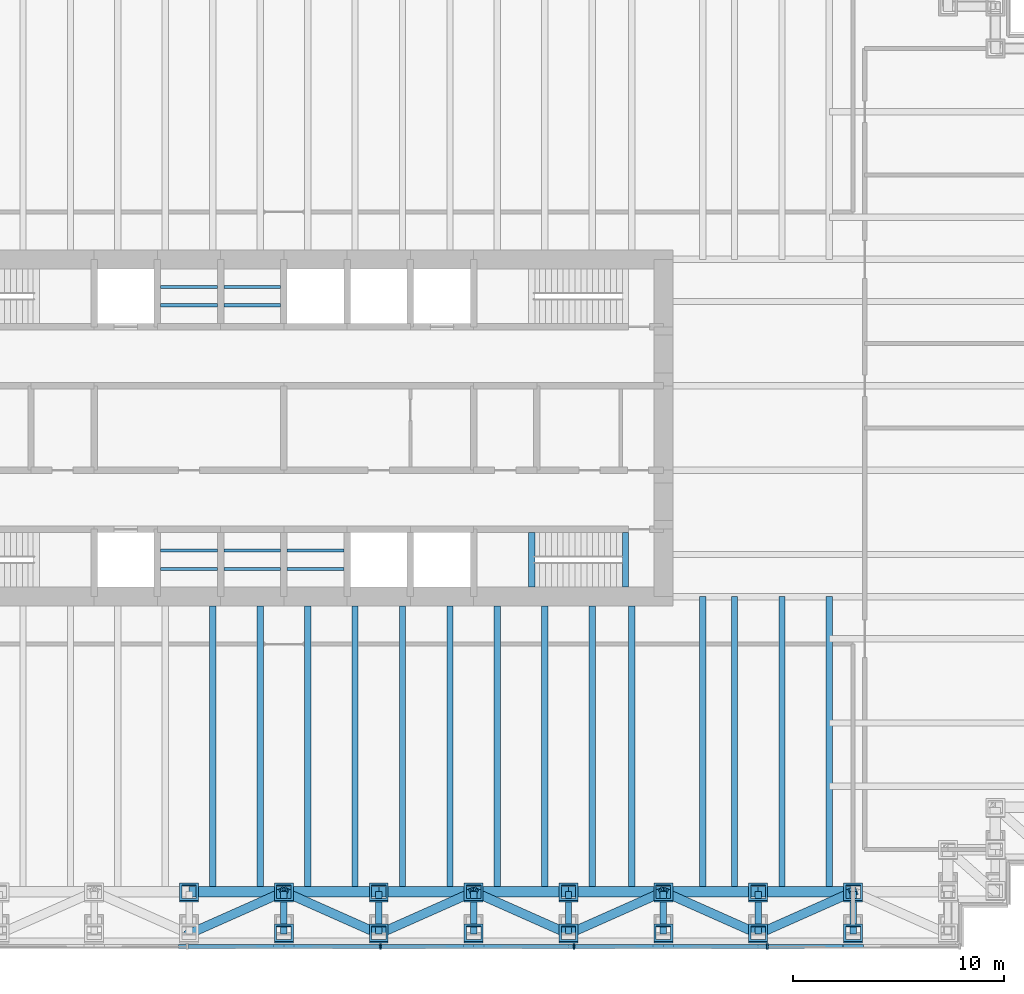
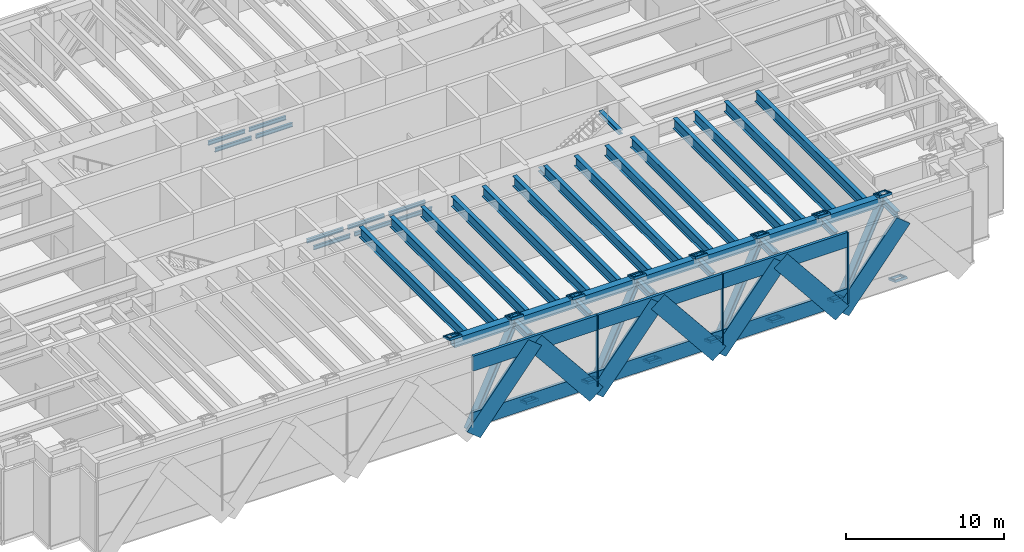
# One storey, part 4 of 16: 40 beams, 38 members, 1 element without a shape of its own.
"""IFC4 building model written with IfcOpenShell, lengths in metres."""

from ifc_helpers import new_model, si_unit, direction, frame, origin, origin_2d, place, context, subcontext, project, spatial, rectangle, hollow_rectangle, i_section, extrude, material, material_profile, profile_set, type_object, element, aggregate, save


model = new_model("IFC4")

# Units and contexts
model_context = context("Model", 3, precision=1e-05, world=origin(), true_north=direction((0.0, 1.0)))
body_context = subcontext(model_context, "Body", "Model", "MODEL_VIEW")
ifc_project = project(units=[si_unit("LENGTHUNIT", "METRE"), si_unit("AREAUNIT", "SQUARE_METRE"), si_unit("VOLUMEUNIT", "CUBIC_METRE"), si_unit("PLANEANGLEUNIT", "RADIAN"), si_unit("MASSUNIT", "GRAM", prefix="KILO")], contexts=[model_context])

# Site, building, storey
site_placement = place(None, origin())
site = spatial("IfcSite", under=ifc_project, at=site_placement, CompositionType="ELEMENT")
building_placement = place(site_placement, origin())
building = spatial("IfcBuilding", under=site, at=building_placement, Name="Rheinbord Bourse Tower", CompositionType="ELEMENT")
storey_placement = place(building_placement, frame((0.0, 0.0, 95.0)))
storey = spatial("IfcBuildingStorey", under=building, at=storey_placement, Name="L20", CompositionType="ELEMENT", Elevation=95.0)

# Beams
ifc_material_1 = material(Name="Steel S460M", Category="steel")
ifc_material_profile_1 = material_profile(ifc_material_1, hollow_rectangle(XDim=0.5, YDim=0.699951171875, WallThickness=0.0400390625, at=origin_2d()), Name="BOX 700x500x40")
ifc_profile_set_1 = profile_set([ifc_material_profile_1], Name="Steel S460M")
beam_type_1 = type_object("IfcBeamType", Name="BELT CHORD BOX 700x500x40", PredefinedType="SPANDREL", material=ifc_profile_set_1)
for number, where, z_axis, x_axis, name in (
    (1, (31.5, 2.0, 4.989990234375), (1.0, 0.0, 0.0), (0.0, 1.0, 0.0), "Spandrel S-31.5-S-36 under L21"),
    (2, (36.0, 2.0, 4.989990234375), (1.0, 0.0, 0.0), (0.0, 1.0, 0.0), "Spandrel S-36-S-40.5 under L21"),
    (3, (40.5, 2.0, 4.989990234375), (1.0, 0.0, 0.0), (0.0, 1.0, 0.0), "Spandrel S-40.5-S-45 under L21"),
    (4, (45.0, 2.0, 4.989990234375), (1.0, 0.0, 0.0), (0.0, 1.0, 0.0), "Spandrel S-45-S-49.5 under L21"),
    (5, (49.5, 2.0, 4.989990234375), (1.0, 0.0, 0.0), (0.0, 1.0, 0.0), "Spandrel S-49.5-S-54 under L21"),
    (6, (54.0, 2.0, 4.989990234375), (1.0, 0.0, 0.0), (0.0, 1.0, 0.0), "Spandrel S-54-S-58.5 under L21"),
    (7, (58.5, 2.0, 4.989990234375), (1.0, 0.0, 0.0), (0.0, 1.0, 0.0), "Spandrel S-58.5-S-63 under L21"),
):
    element("IfcBeam", number, at=place(storey_placement, frame(where, z_axis=z_axis, x_axis=x_axis)), inside=storey, type_object=beam_type_1, Name=name, PredefinedType="SPANDREL", context=body_context, shape_type="SweptSolid", body=[
        extrude(hollow_rectangle(XDim=0.5, YDim=0.699951171875, WallThickness=0.0400390625, at=origin_2d()), origin(), (0.0, 0.0, 1.0), 4.5),
    ])

# Members
ifc_material_2 = material(Name="Steel S460", Category="steel")
ifc_material_profile_2 = material_profile(ifc_material_2, i_section(OverallWidth=0.431884765625, OverallDepth=0.498046875, WebThickness=0.0556640625, FlangeThickness=0.0888671875, at=origin_2d()), Name="HD 400x744")
ifc_profile_set_2 = profile_set([ifc_material_profile_2], Name="Steel S460")
member_type_1 = type_object("IfcMemberType", Name="BELT DIAGONAL HD 400x744", PredefinedType="STRUT", material=ifc_profile_set_2)
for number, where, z_axis, x_axis, name in (
    (8, (31.5, 0.0, -0.60009765625), (0.604045441932, 0.268464640859, 0.750370468962), (-0.406138466053, 0.91381154862, 0.0), "Belt truss diagonal S-31.5-S-36 L20"),
    (9, (40.5, 0.0, -0.60009765625), (-0.604045441932, 0.268464640859, 0.750370468962), (-0.406138466053, -0.91381154862, 0.0), "Belt truss diagonal S-36-S-40.5 L20"),
    (10, (40.5, 0.0, -0.60009765625), (0.604045441932, 0.268464640859, 0.750370468962), (-0.406138466053, 0.91381154862, 0.0), "Belt truss diagonal S-40.5-S-45 L20"),
    (11, (49.5, 0.0, -0.60009765625), (-0.604045441932, 0.268464640859, 0.750370468962), (-0.406138466053, -0.91381154862, 0.0), "Belt truss diagonal S-45-S-49.5 L20"),
    (12, (49.5, 0.0, -0.60009765625), (0.604045441932, 0.268464640859, 0.750370468962), (-0.406138466053, 0.91381154862, 0.0), "Belt truss diagonal S-49.5-S-54 L20"),
    (13, (58.5, 0.0, -0.60009765625), (-0.604045441932, 0.268464640859, 0.750370468962), (-0.406138466053, -0.91381154862, 0.0), "Belt truss diagonal S-54-S-58.5 L20"),
    (14, (58.5, 0.0, -0.60009765625), (0.604045441932, 0.268464640859, 0.750370468962), (-0.406138466053, 0.91381154862, 0.0), "Belt truss diagonal S-58.5-S-63 L20"),
):
    element("IfcMember", number, at=place(storey_placement, frame(where, z_axis=z_axis, x_axis=x_axis)), inside=storey, type_object=member_type_1, Name=name, PredefinedType="STRUT", context=body_context, shape_type="SweptSolid", body=[
        extrude(i_section(OverallWidth=0.431884765625, OverallDepth=0.498046875, WebThickness=0.0556640625, FlangeThickness=0.0888671875, at=origin_2d()), origin(), (0.0, 0.0, 1.0), 7.44970703125),
    ])

# Curtain wall, members
ifc_material_3 = material(Name="Dark glass and black aluminium", Category="aluminium")
curtain_wall_type = type_object("IfcCurtainWallType", Name="CW5 DARK GLASS CURTAIN WALL", PredefinedType="USERDEFINED", material=ifc_material_3)
curtain_wall_placement = place(storey_placement, origin())
curtain_wall = element("IfcCurtainWall", 15, at=curtain_wall_placement, inside=storey, type_object=curtain_wall_type, Name="Curtain wall CW5 S L20", ObjectType="UNITISED CURTAIN WALL", PredefinedType="USERDEFINED")
ifc_material_4 = material(Name="Black anodised aluminium", Category="aluminium")
ifc_material_profile_3 = material_profile(ifc_material_4, rectangle(XDim=0.199951171875, YDim=1.259033203125, at=origin_2d()), Name="CW5 DIAGONAL MULLION 1259x200")
ifc_profile_set_3 = profile_set([ifc_material_profile_3], Name="Black anodised aluminium")
member_type_2 = type_object("IfcMemberType", Name="CW5 BLACK DIAGONAL MULLION", PredefinedType="USERDEFINED", material=ifc_profile_set_3)
member_1_placement = place(storey_placement, frame((31.5, -0.60009765625, -0.60009765625), z_axis=(0.627065297878, 0.0, 0.778966695178), x_axis=(0.0, 1.0, 0.0)))
member_1 = element("IfcMember", 16, at=member_1_placement, type_object=member_type_2, Name="CW5 diagonal mullion belt S-31.5", ObjectType="DIAGONAL MULLION", PredefinedType="USERDEFINED", context=body_context, shape_type="SweptSolid", body=[
    extrude(rectangle(XDim=0.199951171875, YDim=1.259033203125, at=origin_2d()), origin(), (0.0, 0.0, 1.0), 7.17626953125),
])
member_2_placement = place(storey_placement, frame((40.5, -0.60009765625, -0.60009765625), z_axis=(-0.627065297878, 0.0, 0.778966695178), x_axis=(0.0, -1.0, 0.0)))
member_2 = element("IfcMember", 17, at=member_2_placement, type_object=member_type_2, Name="CW5 diagonal mullion belt S-36", ObjectType="DIAGONAL MULLION", PredefinedType="USERDEFINED", context=body_context, shape_type="SweptSolid", body=[
    extrude(rectangle(XDim=0.199951171875, YDim=1.259033203125, at=origin_2d()), origin(), (0.0, 0.0, 1.0), 7.17626953125),
])
member_3_placement = place(storey_placement, frame((40.5, -0.60009765625, -0.60009765625), z_axis=(0.627065297878, 0.0, 0.778966695178), x_axis=(0.0, 1.0, 0.0)))
member_3 = element("IfcMember", 18, at=member_3_placement, type_object=member_type_2, Name="CW5 diagonal mullion belt S-40.5", ObjectType="DIAGONAL MULLION", PredefinedType="USERDEFINED", context=body_context, shape_type="SweptSolid", body=[
    extrude(rectangle(XDim=0.199951171875, YDim=1.259033203125, at=origin_2d()), origin(), (0.0, 0.0, 1.0), 7.17626953125),
])
member_4_placement = place(storey_placement, frame((49.5, -0.60009765625, -0.60009765625), z_axis=(-0.627065297878, 0.0, 0.778966695178), x_axis=(0.0, -1.0, 0.0)))
member_4 = element("IfcMember", 19, at=member_4_placement, type_object=member_type_2, Name="CW5 diagonal mullion belt S-45", ObjectType="DIAGONAL MULLION", PredefinedType="USERDEFINED", context=body_context, shape_type="SweptSolid", body=[
    extrude(rectangle(XDim=0.199951171875, YDim=1.259033203125, at=origin_2d()), origin(), (0.0, 0.0, 1.0), 7.17626953125),
])
member_5_placement = place(storey_placement, frame((49.5, -0.60009765625, -0.60009765625), z_axis=(0.627065297878, 0.0, 0.778966695178), x_axis=(0.0, 1.0, 0.0)))
member_5 = element("IfcMember", 20, at=member_5_placement, type_object=member_type_2, Name="CW5 diagonal mullion belt S-49.5", ObjectType="DIAGONAL MULLION", PredefinedType="USERDEFINED", context=body_context, shape_type="SweptSolid", body=[
    extrude(rectangle(XDim=0.199951171875, YDim=1.259033203125, at=origin_2d()), origin(), (0.0, 0.0, 1.0), 7.17626953125),
])
member_6_placement = place(storey_placement, frame((58.5, -0.60009765625, -0.60009765625), z_axis=(-0.627065297878, 0.0, 0.778966695178), x_axis=(0.0, -1.0, 0.0)))
member_6 = element("IfcMember", 21, at=member_6_placement, type_object=member_type_2, Name="CW5 diagonal mullion belt S-54", ObjectType="DIAGONAL MULLION", PredefinedType="USERDEFINED", context=body_context, shape_type="SweptSolid", body=[
    extrude(rectangle(XDim=0.199951171875, YDim=1.259033203125, at=origin_2d()), origin(), (0.0, 0.0, 1.0), 7.17626953125),
])
member_7_placement = place(storey_placement, frame((58.5, -0.60009765625, -0.60009765625), z_axis=(0.627065297878, 0.0, 0.778966695178), x_axis=(0.0, 1.0, 0.0)))
member_7 = element("IfcMember", 22, at=member_7_placement, type_object=member_type_2, Name="CW5 diagonal mullion belt S-58.5", ObjectType="DIAGONAL MULLION", PredefinedType="USERDEFINED", context=body_context, shape_type="SweptSolid", body=[
    extrude(rectangle(XDim=0.199951171875, YDim=1.259033203125, at=origin_2d()), origin(), (0.0, 0.0, 1.0), 7.17626953125),
])
ifc_material_5 = material(Name="Black anodised aluminium", Category="aluminium")
ifc_material_profile_4 = material_profile(ifc_material_5, rectangle(XDim=0.25, YDim=0.080078125, at=origin_2d()), Name="CW5 MULLION 80x250")
ifc_profile_set_4 = profile_set([ifc_material_profile_4], Name="Black anodised aluminium")
member_type_3 = type_object("IfcMemberType", Name="CW5 BLACK MULLION", PredefinedType="MULLION", material=ifc_profile_set_4)
member_8_placement = place(storey_placement, frame((40.585693359375, -0.60009765625, 0.0), z_axis=(0.0, 0.0, 1.0), x_axis=(0.0, 1.0, 0.0)))
member_8 = element("IfcMember", 23, at=member_8_placement, type_object=member_type_3, Name="CW5 mullion 5", PredefinedType="MULLION", context=body_context, shape_type="SweptSolid", body=[
    extrude(rectangle(XDim=0.25, YDim=0.080078125, at=origin_2d()), origin(), (0.0, 0.0, 1.0), 5.5),
])
member_9_placement = place(storey_placement, frame((49.757080078125, -0.60009765625, 0.0), z_axis=(0.0, 0.0, 1.0), x_axis=(0.0, 1.0, 0.0)))
member_9 = element("IfcMember", 24, at=member_9_placement, type_object=member_type_3, Name="CW5 mullion 6", PredefinedType="MULLION", context=body_context, shape_type="SweptSolid", body=[
    extrude(rectangle(XDim=0.25, YDim=0.080078125, at=origin_2d()), origin(), (0.0, 0.0, 1.0), 5.5),
])
member_10_placement = place(storey_placement, frame((58.928466796875, -0.60009765625, 0.0), z_axis=(0.0, 0.0, 1.0), x_axis=(0.0, 1.0, 0.0)))
member_10 = element("IfcMember", 25, at=member_10_placement, type_object=member_type_3, Name="CW5 mullion 7", PredefinedType="MULLION", context=body_context, shape_type="SweptSolid", body=[
    extrude(rectangle(XDim=0.25, YDim=0.080078125, at=origin_2d()), origin(), (0.0, 0.0, 1.0), 5.5),
])
ifc_material_6 = material(Name="Black anodised aluminium", Category="aluminium")
ifc_material_profile_5 = material_profile(ifc_material_6, rectangle(XDim=0.199951171875, YDim=1.14990234375, at=origin_2d()), Name="CW5 TRANSOM 1150x200")
ifc_profile_set_5 = profile_set([ifc_material_profile_5], Name="Black anodised aluminium")
member_type_4 = type_object("IfcMemberType", Name="CW5 BLACK TRANSOM", PredefinedType="USERDEFINED", material=ifc_profile_set_5)
member_11_placement = place(storey_placement, frame((31.454345703125, -0.60009765625, 0.574951171875), z_axis=(1.0, 0.0, 0.0), x_axis=(0.0, 1.0, 0.0)))
member_11 = element("IfcMember", 26, at=member_11_placement, type_object=member_type_4, Name="CW5 transom 4.1", ObjectType="TRANSOM", PredefinedType="USERDEFINED", context=body_context, shape_type="SweptSolid", body=[
    extrude(rectangle(XDim=0.199951171875, YDim=1.14990234375, at=origin_2d()), origin(), (0.0, 0.0, 1.0), 9.09130859375),
])
member_12_placement = place(storey_placement, frame((31.454345703125, -0.60009765625, 4.925048828125), z_axis=(1.0, 0.0, 0.0), x_axis=(0.0, 1.0, 0.0)))
member_12 = element("IfcMember", 27, at=member_12_placement, type_object=member_type_4, Name="CW5 transom 4.2", ObjectType="TRANSOM", PredefinedType="USERDEFINED", context=body_context, shape_type="SweptSolid", body=[
    extrude(rectangle(XDim=0.199951171875, YDim=1.14990234375, at=origin_2d()), origin(), (0.0, 0.0, 1.0), 9.09130859375),
])
member_13_placement = place(storey_placement, frame((40.625732421875, -0.60009765625, 0.574951171875), z_axis=(1.0, 0.0, 0.0), x_axis=(0.0, 1.0, 0.0)))
member_13 = element("IfcMember", 28, at=member_13_placement, type_object=member_type_4, Name="CW5 transom 5.1", ObjectType="TRANSOM", PredefinedType="USERDEFINED", context=body_context, shape_type="SweptSolid", body=[
    extrude(rectangle(XDim=0.199951171875, YDim=1.14990234375, at=origin_2d()), origin(), (0.0, 0.0, 1.0), 9.09130859375),
])
member_14_placement = place(storey_placement, frame((40.625732421875, -0.60009765625, 4.925048828125), z_axis=(1.0, 0.0, 0.0), x_axis=(0.0, 1.0, 0.0)))
member_14 = element("IfcMember", 29, at=member_14_placement, type_object=member_type_4, Name="CW5 transom 5.2", ObjectType="TRANSOM", PredefinedType="USERDEFINED", context=body_context, shape_type="SweptSolid", body=[
    extrude(rectangle(XDim=0.199951171875, YDim=1.14990234375, at=origin_2d()), origin(), (0.0, 0.0, 1.0), 9.09130859375),
])
member_15_placement = place(storey_placement, frame((49.797119140625, -0.60009765625, 0.574951171875), z_axis=(1.0, 0.0, 0.0), x_axis=(0.0, 1.0, 0.0)))
member_15 = element("IfcMember", 30, at=member_15_placement, type_object=member_type_4, Name="CW5 transom 6.1", ObjectType="TRANSOM", PredefinedType="USERDEFINED", context=body_context, shape_type="SweptSolid", body=[
    extrude(rectangle(XDim=0.199951171875, YDim=1.14990234375, at=origin_2d()), origin(), (0.0, 0.0, 1.0), 9.091552734375),
])
member_16_placement = place(storey_placement, frame((49.797119140625, -0.60009765625, 4.925048828125), z_axis=(1.0, 0.0, 0.0), x_axis=(0.0, 1.0, 0.0)))
member_16 = element("IfcMember", 31, at=member_16_placement, type_object=member_type_4, Name="CW5 transom 6.2", ObjectType="TRANSOM", PredefinedType="USERDEFINED", context=body_context, shape_type="SweptSolid", body=[
    extrude(rectangle(XDim=0.199951171875, YDim=1.14990234375, at=origin_2d()), origin(), (0.0, 0.0, 1.0), 9.091552734375),
])
aggregate(curtain_wall, [member_8, member_9, member_10, member_11, member_12, member_13, member_14, member_15, member_16, member_1, member_2, member_3, member_4, member_5, member_6, member_7])

# Beams
ifc_material_7 = material(Name="Steel S460", Category="steel")
ifc_material_profile_6 = material_profile(ifc_material_7, i_section(OverallWidth=0.300048828125, OverallDepth=0.800048828125, WebThickness=0.017578125, FlangeThickness=0.032958984375, at=origin_2d()), Name="HEB 800")
ifc_profile_set_6 = profile_set([ifc_material_profile_6], Name="Steel S460")
beam_type_2 = type_object("IfcBeamType", Name="FLOOR BEAM HEB 800", PredefinedType="BEAM", material=ifc_profile_set_6)
for number, where, z_axis, x_axis, name in (
    (32, (32.625, 2.0, 4.93994140625), (0.0, 1.0, 0.0), (-1.0, 0.0, 0.0), "Floor beam S-31.5a L21"),
    (33, (34.875, 2.0, 4.93994140625), (0.0, 1.0, 0.0), (-1.0, 0.0, 0.0), "Floor beam S-31.5b L21"),
    (34, (37.125, 2.0, 4.93994140625), (0.0, 1.0, 0.0), (-1.0, 0.0, 0.0), "Floor beam S-36a L21"),
    (35, (39.375, 2.0, 4.93994140625), (0.0, 1.0, 0.0), (-1.0, 0.0, 0.0), "Floor beam S-36b L21"),
    (36, (41.625, 2.0, 4.93994140625), (0.0, 1.0, 0.0), (-1.0, 0.0, 0.0), "Floor beam S-40.5a L21"),
    (37, (43.875, 2.0, 4.93994140625), (0.0, 1.0, 0.0), (-1.0, 0.0, 0.0), "Floor beam S-40.5b L21"),
    (38, (46.125, 2.0, 4.93994140625), (0.0, 1.0, 0.0), (-1.0, 0.0, 0.0), "Floor beam S-45a L21"),
    (39, (48.375, 2.0, 4.93994140625), (0.0, 1.0, 0.0), (-1.0, 0.0, 0.0), "Floor beam S-45b L21"),
    (40, (50.625, 2.0, 4.93994140625), (0.0, 1.0, 0.0), (-1.0, 0.0, 0.0), "Floor beam S-49.5a L21"),
    (41, (52.5, 2.0, 4.93994140625), (0.0, 1.0, 0.0), (-1.0, 0.0, 0.0), "Floor beam S-49.5b L21"),
):
    element("IfcBeam", number, at=place(storey_placement, frame(where, z_axis=z_axis, x_axis=x_axis)), inside=storey, type_object=beam_type_2, Name=name, PredefinedType="BEAM", context=body_context, shape_type="SweptSolid", body=[
        extrude(i_section(OverallWidth=0.300048828125, OverallDepth=0.800048828125, WebThickness=0.017578125, FlangeThickness=0.032958984375, at=origin_2d()), origin(), (0.0, 0.0, 1.0), 13.550048828125),
    ])
for number, where, z_axis, x_axis, name in (
    (42, (55.875, 2.0, 4.93994140625), (0.0, 1.0, 0.0), (-1.0, 0.0, 0.0), "Floor beam S-54a L21"),
    (43, (57.375, 2.0, 4.93994140625), (0.0, 1.0, 0.0), (-1.0, 0.0, 0.0), "Floor beam S-54b L21"),
    (44, (59.625, 2.0, 4.93994140625), (0.0, 1.0, 0.0), (-1.0, 0.0, 0.0), "Floor beam S-58.5a L21"),
    (45, (61.875, 2.0, 4.93994140625), (0.0, 1.0, 0.0), (-1.0, 0.0, 0.0), "Floor beam S-58.5b L21"),
):
    element("IfcBeam", number, at=place(storey_placement, frame(where, z_axis=z_axis, x_axis=x_axis)), inside=storey, type_object=beam_type_2, Name=name, PredefinedType="BEAM", context=body_context, shape_type="SweptSolid", body=[
        extrude(i_section(OverallWidth=0.300048828125, OverallDepth=0.800048828125, WebThickness=0.017578125, FlangeThickness=0.032958984375, at=origin_2d()), origin(), (0.0, 0.0, 1.0), 14.0),
    ])
ifc_material_8 = material(Name="Steel S460", Category="steel")
ifc_material_profile_7 = material_profile(ifc_material_8, i_section(OverallWidth=0.300048828125, OverallDepth=0.300048828125, WebThickness=0.010986328125, FlangeThickness=0.01904296875, at=origin_2d()), Name="HEB 300")
ifc_profile_set_7 = profile_set([ifc_material_profile_7], Name="Steel S460")
beam_type_3 = type_object("IfcBeamType", Name="LANDING TRIMMER HEB 300", PredefinedType="BEAM", material=ifc_profile_set_7)
for number, where, z_axis, x_axis, name in (
    (46, (47.75, 16.449951171875, 2.39990234375), (0.0, 1.0, 0.0), (-1.0, 0.0, 0.0), "Landing trimmer ST3 L20"),
    (47, (52.199951171875, 16.449951171875, 5.18994140625), (0.0, 1.0, 0.0), (-1.0, 0.0, 0.0), "Well trimmer ST3 under L21"),
):
    element("IfcBeam", number, at=place(storey_placement, frame(where, z_axis=z_axis, x_axis=x_axis)), inside=storey, type_object=beam_type_3, Name=name, PredefinedType="BEAM", context=body_context, shape_type="SweptSolid", body=[
        extrude(i_section(OverallWidth=0.300048828125, OverallDepth=0.300048828125, WebThickness=0.010986328125, FlangeThickness=0.01904296875, at=origin_2d()), origin(), (0.0, 0.0, 1.0), 2.60009765625),
    ])
ifc_material_9 = material(Name="Steel S460", Category="steel")
ifc_material_profile_8 = material_profile(ifc_material_9, i_section(OverallWidth=0.14990234375, OverallDepth=0.300048828125, WebThickness=0.007080078125, FlangeThickness=0.0107421875, at=origin_2d()), Name="IPE 300")
ifc_profile_set_8 = profile_set([ifc_material_profile_8], Name="Steel S460")
beam_type_4 = type_object("IfcBeamType", Name="PIT BEAM IPE 300", PredefinedType="BEAM", material=ifc_profile_set_8)
for number, where, z_axis, x_axis, name in (
    (48, (30.14990234375, 17.31689453125, 3.449951171875), (1.0, 0.0, 0.0), (0.0, 1.0, 0.0), "Pit beam 1 PB1"),
    (49, (30.14990234375, 18.18310546875, 3.449951171875), (1.0, 0.0, 0.0), (0.0, 1.0, 0.0), "Pit beam 2 PB1"),
    (50, (33.14990234375, 17.31689453125, 3.449951171875), (1.0, 0.0, 0.0), (0.0, 1.0, 0.0), "Pit beam 1 PB2"),
    (51, (33.14990234375, 18.18310546875, 3.449951171875), (1.0, 0.0, 0.0), (0.0, 1.0, 0.0), "Pit beam 2 PB2"),
    (52, (36.14990234375, 17.31689453125, 3.449951171875), (1.0, 0.0, 0.0), (0.0, 1.0, 0.0), "Pit beam 1 PB3"),
    (53, (36.14990234375, 18.18310546875, 3.449951171875), (1.0, 0.0, 0.0), (0.0, 1.0, 0.0), "Pit beam 2 PB3"),
    (54, (30.14990234375, 29.81689453125, 3.449951171875), (1.0, 0.0, 0.0), (0.0, 1.0, 0.0), "Pit beam 1 PB4"),
    (55, (30.14990234375, 30.68310546875, 3.449951171875), (1.0, 0.0, 0.0), (0.0, 1.0, 0.0), "Pit beam 2 PB4"),
    (56, (33.14990234375, 29.81689453125, 3.449951171875), (1.0, 0.0, 0.0), (0.0, 1.0, 0.0), "Pit beam 1 PB5"),
    (57, (33.14990234375, 30.68310546875, 3.449951171875), (1.0, 0.0, 0.0), (0.0, 1.0, 0.0), "Pit beam 2 PB5"),
):
    element("IfcBeam", number, at=place(storey_placement, frame(where, z_axis=z_axis, x_axis=x_axis)), inside=storey, type_object=beam_type_4, Name=name, PredefinedType="BEAM", context=body_context, shape_type="SweptSolid", body=[
        extrude(i_section(OverallWidth=0.14990234375, OverallDepth=0.300048828125, WebThickness=0.007080078125, FlangeThickness=0.0107421875, at=origin_2d()), origin(), (0.0, 0.0, 1.0), 2.7001953125),
    ])

# Members
ifc_material_10 = material(Name="Steel S460M", Category="steel")
ifc_material_profile_9 = material_profile(ifc_material_10, hollow_rectangle(XDim=0.89990234375, YDim=0.89990234375, WallThickness=0.110107421875, at=origin_2d()), Name="BOX 900x900x110")
ifc_profile_set_9 = profile_set([ifc_material_profile_9], Name="Steel S460M")
member_type_5 = type_object("IfcMemberType", Name="RAKING NODE PIECE BOX 900x900x110", PredefinedType="USERDEFINED", material=ifc_profile_set_9)
for number, where, z_axis, x_axis, name in (
    (58, (31.5, 1.943603515625, 5.344970703125), (0.0, 0.341861886176, 0.939750206587), (0.0, -0.939750206587, 0.341861886176), "Node piece S-31.5 L20 head"),
    (59, (36.0, 0.0, 0.0), (0.0, 0.341861886176, 0.939750206587), (0.0, -0.939750206587, 0.341861886176), "Node piece S-36 L20 foot"),
    (60, (36.0, 1.943603515625, 5.344970703125), (0.0, 0.341861886176, 0.939750206587), (0.0, -0.939750206587, 0.341861886176), "Node piece S-36 L20 head"),
    (61, (40.5, 0.0, 0.0), (0.0, 0.341861886176, 0.939750206587), (0.0, -0.939750206587, 0.341861886176), "Node piece S-40.5 L20 foot"),
    (62, (40.5, 1.943603515625, 5.344970703125), (0.0, 0.341861886176, 0.939750206587), (0.0, -0.939750206587, 0.341861886176), "Node piece S-40.5 L20 head"),
    (63, (45.0, 0.0, 0.0), (0.0, 0.341861886176, 0.939750206587), (0.0, -0.939750206587, 0.341861886176), "Node piece S-45 L20 foot"),
    (64, (45.0, 1.943603515625, 5.344970703125), (0.0, 0.341861886176, 0.939750206587), (0.0, -0.939750206587, 0.341861886176), "Node piece S-45 L20 head"),
    (65, (49.5, 0.0, 0.0), (0.0, 0.341861886176, 0.939750206587), (0.0, -0.939750206587, 0.341861886176), "Node piece S-49.5 L20 foot"),
    (66, (49.5, 1.943603515625, 5.344970703125), (0.0, 0.341861886176, 0.939750206587), (0.0, -0.939750206587, 0.341861886176), "Node piece S-49.5 L20 head"),
    (67, (54.0, 0.0, 0.0), (0.0, 0.341861886176, 0.939750206587), (0.0, -0.939750206587, 0.341861886176), "Node piece S-54 L20 foot"),
    (68, (54.0, 1.943603515625, 5.344970703125), (0.0, 0.341861886176, 0.939750206587), (0.0, -0.939750206587, 0.341861886176), "Node piece S-54 L20 head"),
    (69, (58.5, 0.0, 0.0), (0.0, 0.341861886176, 0.939750206587), (0.0, -0.939750206587, 0.341861886176), "Node piece S-58.5 L20 foot"),
    (70, (58.5, 1.943603515625, 5.344970703125), (0.0, 0.341861886176, 0.939750206587), (0.0, -0.939750206587, 0.341861886176), "Node piece S-58.5 L20 head"),
    (71, (63.0, 0.0, 0.0), (0.0, 0.341861886176, 0.939750206587), (0.0, -0.939750206587, 0.341861886176), "Node piece S-63 L20 foot"),
    (72, (63.0, 1.943603515625, 5.344970703125), (0.0, 0.341861886176, 0.939750206587), (0.0, -0.939750206587, 0.341861886176), "Node piece S-63 L20 head"),
):
    element("IfcMember", number, at=place(storey_placement, frame(where, z_axis=z_axis, x_axis=x_axis)), inside=storey, type_object=member_type_5, Name=name, ObjectType="NODE PIECE", PredefinedType="USERDEFINED", context=body_context, shape_type="SweptSolid", body=[
        extrude(hollow_rectangle(XDim=0.89990234375, YDim=0.89990234375, WallThickness=0.110107421875, at=origin_2d()), origin(), (0.0, 0.0, 1.0), 0.1650390625),
    ])

# Beams
ifc_material_11 = material(Name="Steel S460", Category="steel")
ifc_material_profile_10 = material_profile(ifc_material_11, i_section(OverallWidth=0.305908203125, OverallDepth=0.52392578125, WebThickness=0.02099609375, FlangeThickness=0.0400390625, at=origin_2d()), Name="HEM 500")
ifc_profile_set_10 = profile_set([ifc_material_profile_10], Name="Steel S460")
beam_type_5 = type_object("IfcBeamType", Name="SETBACK OUTLOOKER HEM 500", PredefinedType="BEAM", material=ifc_profile_set_10)
for number, where, z_axis, x_axis, name in (
    (73, (36.0, 2.0, 4.988037109375), (0.0, -1.0, 0.0), (1.0, 0.0, 0.0), "Setback outlooker S-36 L21"),
    (74, (40.5, 2.0, 4.988037109375), (0.0, -1.0, 0.0), (1.0, 0.0, 0.0), "Setback outlooker S-40.5 L21"),
    (75, (45.0, 2.0, 4.988037109375), (0.0, -1.0, 0.0), (1.0, 0.0, 0.0), "Setback outlooker S-45 L21"),
    (76, (49.5, 2.0, 4.988037109375), (0.0, -1.0, 0.0), (1.0, 0.0, 0.0), "Setback outlooker S-49.5 L21"),
    (77, (54.0, 2.0, 4.988037109375), (0.0, -1.0, 0.0), (1.0, 0.0, 0.0), "Setback outlooker S-54 L21"),
    (78, (58.5, 2.0, 4.988037109375), (0.0, -1.0, 0.0), (1.0, 0.0, 0.0), "Setback outlooker S-58.5 L21"),
    (79, (63.0, 2.0, 4.988037109375), (0.0, -1.0, 0.0), (1.0, 0.0, 0.0), "Setback outlooker S-63 L21"),
):
    element("IfcBeam", number, at=place(storey_placement, frame(where, z_axis=z_axis, x_axis=x_axis)), inside=storey, type_object=beam_type_5, Name=name, PredefinedType="BEAM", context=body_context, shape_type="SweptSolid", body=[
        extrude(i_section(OverallWidth=0.305908203125, OverallDepth=0.52392578125, WebThickness=0.02099609375, FlangeThickness=0.0400390625, at=origin_2d()), origin(), (0.0, 0.0, 1.0), 2.0),
    ])

save(model, "model.ifc")
